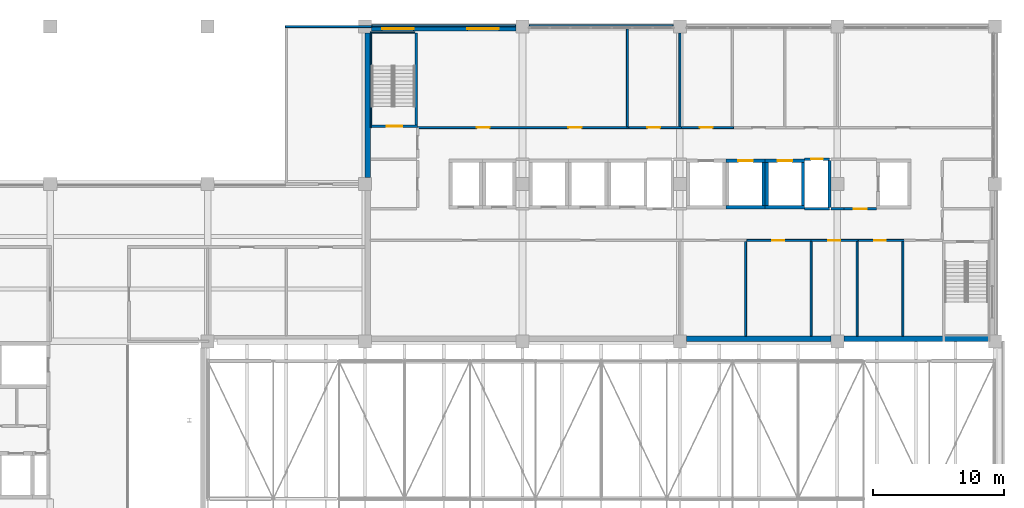
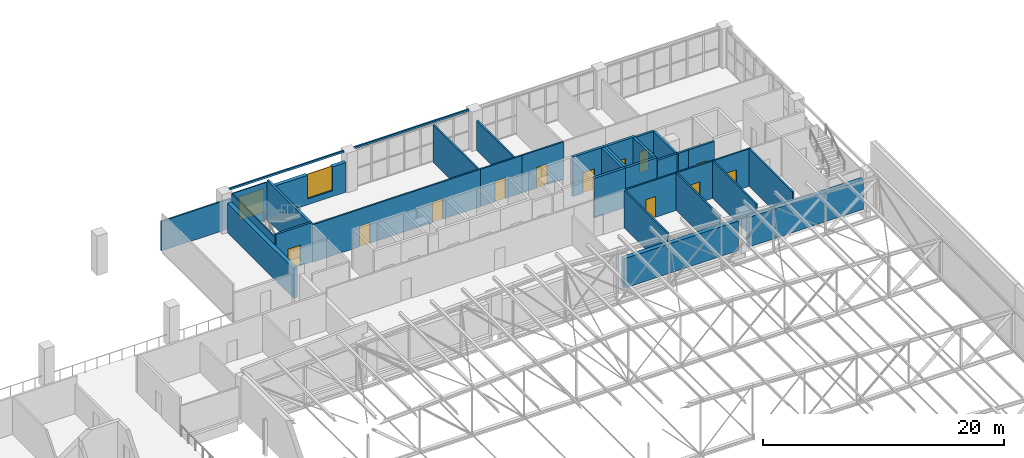
# One storey, part 149 of 156: 35 walls, 12 doors, 2 windows, 14 openings.
"""IFC4 building model written with IfcOpenShell, lengths in metres."""

import ifcopenshell
import ifcopenshell.guid

model = None  # the IFC model being written
_history = None  # IfcOwnerHistory: only IFC2X3 demands one
_inside = {}  # id of a spatial element -> (the spatial element, [elements in it])
_under = {}  # id of a project, library or spatial element -> (it, [spatial elements below it])
_declared = {}  # id of a project -> (the project, [libraries it declares])
_typed = {}  # id of a type object -> (the type object, [elements of that type])
_made_of = {}  # id of a material, layer set ... -> (it, [elements and type objects made of it])


def new_model(schema):
    """Start an empty IFC model of exactly this schema.

    Asked for "IFC4X3", IfcOpenShell would pick the latest addendum, in which some entities
    have other attributes; the version numbers below select the first issue.
    IFC2X3 requires an IfcOwnerHistory on every rooted entity: one is made here for all.
    """
    global model, _history
    if schema == "IFC4X3":
        model = ifcopenshell.file(schema_version=(4, 3, 0, 0))
    else:
        model = ifcopenshell.file(schema=schema)
    _inside.clear()
    _under.clear()
    _declared.clear()
    _typed.clear()
    _made_of.clear()
    _history = None
    if model.schema == "IFC2X3":
        org = make("IfcOrganization", Name="unknown")
        user = make(
            "IfcPersonAndOrganization",
            ThePerson=make("IfcPerson", FamilyName="unknown"),
            TheOrganization=org,
        )
        app = make(
            "IfcApplication",
            ApplicationDeveloper=org,
            Version="unknown",
            ApplicationFullName="unknown",
            ApplicationIdentifier="unknown",
        )
        _history = make(
            "IfcOwnerHistory",
            OwningUser=user,
            OwningApplication=app,
            ChangeAction="ADDED",
            CreationDate=0,
        )
    return model


def make(cls, **values):
    """One entity of the class cls with the attributes given. An attribute that is None is left unset."""
    return model.create_entity(
        cls, **{name: value for name, value in values.items() if value is not None}
    )


def rooted(cls, **values):
    """An entity with a GlobalId (a new one), such as an element, a storey or a relation."""
    return make(cls, GlobalId=ifcopenshell.guid.new(), OwnerHistory=_history, **values)


def si_unit(unit_type, name, prefix=None):
    """IfcSIUnit, for example si_unit("LENGTHUNIT", "METRE", prefix="MILLI")."""
    return make("IfcSIUnit", UnitType=unit_type, Prefix=prefix, Name=name)


def assignment(units):
    """IfcUnitAssignment: the units of a project."""
    return None if units is None else make("IfcUnitAssignment", Units=units)


def point(xyz):
    """IfcCartesianPoint."""
    return None if xyz is None else make("IfcCartesianPoint", Coordinates=xyz)


def direction(xyz):
    """IfcDirection."""
    return None if xyz is None else make("IfcDirection", DirectionRatios=xyz)


def frame(location, z_axis=None, x_axis=None):
    """IfcAxis2Placement3D, a coordinate frame: its origin and axes. An axis left out is left unset."""
    return make(
        "IfcAxis2Placement3D",
        Location=point(location),
        Axis=direction(z_axis),
        RefDirection=direction(x_axis),
    )


def frame_2d(location, x_axis=None):
    """IfcAxis2Placement2D, a coordinate frame in the plane: its origin and x axis."""
    return make(
        "IfcAxis2Placement2D", Location=point(location), RefDirection=direction(x_axis)
    )


def origin():
    """The frame at (0, 0, 0) with its axes left unset."""
    return frame((0.0, 0.0, 0.0))


def place(relative_to, where):
    """IfcLocalPlacement: puts the frame where relative to a parent placement (None: the world)."""
    return make(
        "IfcLocalPlacement", PlacementRelTo=relative_to, RelativePlacement=where
    )


def context(
    kind, dimensions, precision=None, world=None, true_north=None, identifier=None
):
    """IfcGeometricRepresentationContext, for example the 3D "Model" context."""
    return make(
        "IfcGeometricRepresentationContext",
        ContextIdentifier=identifier,
        ContextType=kind,
        CoordinateSpaceDimension=dimensions,
        Precision=precision,
        WorldCoordinateSystem=world,
        TrueNorth=true_north,
    )


def subcontext(parent, identifier, kind, view, scale=None):
    """IfcGeometricRepresentationSubContext, for example "Body" below "Model"."""
    return make(
        "IfcGeometricRepresentationSubContext",
        ContextIdentifier=identifier,
        ContextType=kind,
        ParentContext=parent,
        TargetScale=scale,
        TargetView=view,
    )


def project(units=None, contexts=None):
    """IfcProject with its units and contexts."""
    return rooted(
        "IfcProject",
        Name="project",
        RepresentationContexts=contexts,
        UnitsInContext=assignment(units),
    )


def spatial(cls, under=None, at=None, **own):
    """A site, building, storey or space (cls), placed at a placement, below another one or the project."""
    s = rooted(cls, ObjectPlacement=at, **own)
    if under is not None:
        _under.setdefault(under.id(), (under, []))[1].append(s)
    return s


def profile(cls, at=None, kind="AREA", **sizes):
    """A parametric profile (cls). Its sizes go by their IFC names, for example OverallWidth=200.0."""
    return make(cls, ProfileType=kind, Position=at, **sizes)


def rectangle(**sizes):
    """IfcRectangleProfileDef."""
    return profile("IfcRectangleProfileDef", **sizes)


def extrude(swept, where, along, depth):
    """IfcExtrudedAreaSolid: the profile swept, set in the frame where, extruded along a direction by depth."""
    return make(
        "IfcExtrudedAreaSolid",
        SweptArea=swept,
        Position=where,
        ExtrudedDirection=direction(along),
        Depth=depth,
    )


def shape(context_of_items, identifier, shape_type, items):
    """IfcShapeRepresentation: the items that make up one representation, for example the "Body"."""
    return make(
        "IfcShapeRepresentation",
        ContextOfItems=context_of_items,
        RepresentationIdentifier=identifier,
        RepresentationType=shape_type,
        Items=items,
    )


def material(Name=None, Category=None):
    """IfcMaterial."""
    return make("IfcMaterial", Name=Name, Category=Category)


def layer(
    of_material, thickness, ventilated=None, Name=None, Category=None, Priority=None
):
    """IfcMaterialLayer: one layer of a wall or slab, of a material (None: an air gap)."""
    return make(
        "IfcMaterialLayer",
        Material=of_material,
        LayerThickness=thickness,
        IsVentilated=ventilated,
        Name=Name,
        Category=Category,
        Priority=Priority,
    )


def layer_set(layers, Name=None):
    """IfcMaterialLayerSet."""
    return make("IfcMaterialLayerSet", MaterialLayers=layers, LayerSetName=Name)


def made_of(thing, what):
    """Note that an element or type object is made of a material, layer set ...; save() writes the relation."""
    if what is not None:
        _made_of.setdefault(what.id(), (what, []))[1].append(thing)
    return thing


def type_object(cls, material=None, **own):
    """A type object (cls), such as IfcWallType, which elements share."""
    return made_of(rooted(cls, **own), material)


def element(
    cls,
    number,
    at=None,
    inside=None,
    cuts=None,
    type_object=None,
    material=None,
    context=None,
    identifier="Body",
    shape_type=None,
    held_by="IfcProductDefinitionShape",
    body=None,
    shapes=None,
    **own,
):
    """One element of the class cls, such as IfcWall. Its Tag is "e" and its number.

    at: its placement. inside: the storey or other place that contains it. cuts: it is an
    opening in that element (IfcRelVoidsElement). A single representation is given by context,
    identifier, shape_type and body (its items); several are given by shapes. held_by: the class
    of the entity that holds the representations. save() writes the other relations.
    """
    e = rooted(cls, Tag="e%d" % number, ObjectPlacement=at, **own)
    if body is not None:
        shapes = [shape(context, identifier, shape_type, body)]
    if shapes is not None:
        e.Representation = make(held_by, Representations=shapes)
    if inside is not None:
        _inside.setdefault(inside.id(), (inside, []))[1].append(e)
    if cuts is not None:
        rooted(
            "IfcRelVoidsElement", RelatingBuildingElement=cuts, RelatedOpeningElement=e
        )
    if type_object is not None:
        _typed.setdefault(type_object.id(), (type_object, []))[1].append(e)
    return made_of(e, material)


def fill(opening, filler):
    """IfcRelFillsElement: the door or window that sits in an opening."""
    return rooted(
        "IfcRelFillsElement",
        RelatingOpeningElement=opening,
        RelatedBuildingElement=filler,
    )


def aggregate(whole, parts):
    """IfcRelAggregates: a whole, such as a stair, and the parts it consists of."""
    return rooted("IfcRelAggregates", RelatingObject=whole, RelatedObjects=parts)


def save(model, path):
    """Write the relations noted so far, then the file.

    IfcRelAggregates (storeys below a building ...), IfcRelContainedInSpatialStructure (elements
    in a storey), IfcRelDefinesByType, IfcRelAssociatesMaterial and IfcRelDeclares: one each for
    every whole, place, type object, material and project.
    """
    for whole, parts in _under.values():
        aggregate(whole, parts)
    for where, things in _inside.values():
        rooted(
            "IfcRelContainedInSpatialStructure",
            RelatedElements=things,
            RelatingStructure=where,
        )
    for kind, things in _typed.values():
        rooted("IfcRelDefinesByType", RelatedObjects=things, RelatingType=kind)
    for what, things in _made_of.values():
        rooted("IfcRelAssociatesMaterial", RelatedObjects=things, RelatingMaterial=what)
    for by, libraries in _declared.values():
        rooted("IfcRelDeclares", RelatingContext=by, RelatedDefinitions=libraries)
    model.write(path)


model = new_model("IFC4")

# Units and contexts
model_context = context("Model", 3, precision=1e-05, world=origin(), true_north=direction((0.0, 1.0)))
body_context = subcontext(model_context, "Body", "Model", "MODEL_VIEW")
ifc_project = project(units=[si_unit("LENGTHUNIT", "METRE"), si_unit("AREAUNIT", "SQUARE_METRE"), si_unit("VOLUMEUNIT", "CUBIC_METRE"), si_unit("PLANEANGLEUNIT", "RADIAN"), si_unit("MASSUNIT", "GRAM", prefix="KILO")], contexts=[model_context])

# Site, building, storey
site_placement = place(None, origin())
site = spatial("IfcSite", under=ifc_project, at=site_placement, CompositionType="ELEMENT")
building_placement = place(site_placement, origin())
building = spatial("IfcBuilding", under=site, at=building_placement, Name="Lilac Gate Convention Centre", CompositionType="ELEMENT")
storey_placement = place(building_placement, frame((0.0, 0.0, 17.0)))
storey = spatial("IfcBuildingStorey", under=building, at=storey_placement, Name="L03", CompositionType="ELEMENT", Elevation=17.0)

# Walls
ifc_material_1 = material(Name="Concrete C60", Category="concrete")
ifc_layer_1 = layer(ifc_material_1, 0.10009765625)
ifc_layer_set_1 = layer_set([ifc_layer_1], Name="Concrete C60")
wall_type_1 = type_object("IfcWallType", Name="Core wall 100 C60", PredefinedType="SHEAR", material=ifc_layer_set_1)
wall_1_placement = place(storey_placement, frame((42.449951171875, 238.300048828125, 0.0), z_axis=(0.0, 0.0, 1.0), x_axis=(0.0, 1.0, 0.0)))
element("IfcWall", 1, at=wall_1_placement, inside=storey, type_object=wall_type_1, Name="CRW8 core wall TS-WX L03 1", PredefinedType="SHEAR", context=body_context, shape_type="SweptSolid", body=[
    extrude(rectangle(XDim=7.300048828125, YDim=0.10009765625, at=frame_2d((3.64990234375, 0.0))), origin(), (0.0, 0.0, 1.0), 3.800048828125),
])
wall_2_placement = place(storey_placement, frame((42.5, 245.550048828125, 0.0), z_axis=(0.0, 0.0, 1.0), x_axis=(1.0, 0.0, 0.0)))
element("IfcWall", 2, at=wall_2_placement, inside=storey, type_object=wall_type_1, Name="CRW8 core wall TS-WX L03 2", PredefinedType="SHEAR", context=body_context, shape_type="SweptSolid", body=[
    extrude(rectangle(XDim=3.300048828125, YDim=0.10009765625, at=frame_2d((1.64990234375, 0.0))), origin(), (0.0, 0.0, 1.0), 3.800048828125),
])

# Wall, opening, door
ifc_layer_2 = layer(ifc_material_1, 0.199951171875)
ifc_layer_set_2 = layer_set([ifc_layer_2], Name="Concrete C60")
wall_type_2 = type_object("IfcWallType", Name="Core wall 200 C60", PredefinedType="SHEAR", material=ifc_layer_set_2)
wall_3_placement = place(storey_placement, frame((42.5, 238.39990234375, 0.0), z_axis=(0.0, 0.0, 1.0), x_axis=(1.0, 0.0, 0.0)))
wall_3 = element("IfcWall", 3, at=wall_3_placement, inside=storey, type_object=wall_type_2, Name="CRW2 core wall TS-W L03 1", PredefinedType="SHEAR", context=body_context, shape_type="SweptSolid", body=[
    extrude(rectangle(XDim=3.5, YDim=0.199951171875, at=frame_2d((1.75, 0.0))), origin(), (0.0, 0.0, 1.0), 4.0),
])
opening_1_placement = place(wall_3_placement, frame((1.14990234375, 0.0, 0.0)))
opening_1 = element("IfcOpeningElement", 4, at=opening_1_placement, cuts=wall_3, Name="Opening T03-031", PredefinedType="OPENING", context=body_context, shape_type="SweptSolid", body=[
    extrude(rectangle(XDim=1.199951171875, YDim=2.10009765625, at=frame_2d((0.60009765625, 1.050048828125))), frame((0.0, 0.10986328125, 0.0), z_axis=(0.0, -1.0, 0.0), x_axis=(1.0, 0.0, 0.0)), (0.0, 0.0, 1.0), 0.219970703125),
])
ifc_material_2 = material(Name="Steel Q235B", Category="steel")
door_type_1 = type_object("IfcDoorType", Name="Stair door 1200", OperationType="SINGLE_SWING_LEFT", PredefinedType="DOOR", material=ifc_material_2)
door_1_placement = place(opening_1_placement, origin())
door_1 = element("IfcDoor", 5, at=door_1_placement, inside=storey, type_object=door_type_1, Name="Stair door NW L03", OperationType="SINGLE_SWING_RIGHT", OverallHeight=2.10009765625, OverallWidth=1.199951171875, PredefinedType="DOOR", context=body_context, shape_type="SweptSolid", body=[
    extrude(rectangle(XDim=1.199951171875, YDim=2.10009765625, at=frame_2d((0.60009765625, 1.050048828125))), frame((0.0, 0.02490234375, 0.0), z_axis=(0.0, -1.0, 0.0), x_axis=(1.0, 0.0, 0.0)), (0.0, 0.0, 1.0), 0.050048828125),
])
fill(opening_1, door_1)

# Walls
wall_4_placement = place(storey_placement, frame((45.89990234375, 238.5, 0.0), z_axis=(0.0, 0.0, 1.0), x_axis=(0.0, 1.0, 0.0)))
element("IfcWall", 6, at=wall_4_placement, inside=storey, type_object=wall_type_2, Name="CRW2 core wall TS-W L03 2", PredefinedType="SHEAR", context=body_context, shape_type="SweptSolid", body=[
    extrude(rectangle(XDim=7.0, YDim=0.199951171875, at=frame_2d((3.5, 0.0))), origin(), (0.0, 0.0, 1.0), 4.0),
])
ifc_layer_3 = layer(ifc_material_1, 0.25)
ifc_layer_set_3 = layer_set([ifc_layer_3], Name="Concrete C60")
wall_type_3 = type_object("IfcWallType", Name="Core wall 250 C60", PredefinedType="SHEAR", material=ifc_layer_set_3)
wall_5_placement = place(storey_placement, frame((69.5, 232.22509765625, 0.0), z_axis=(0.0, 0.0, 1.0), x_axis=(1.0, 0.0, 0.0)))
element("IfcWall", 7, at=wall_5_placement, inside=storey, type_object=wall_type_3, Name="CRW3 core wall TC L03 17", PredefinedType="SHEAR", context=body_context, shape_type="SweptSolid", body=[
    extrude(rectangle(XDim=3.0, YDim=0.25, at=frame_2d((1.5, 0.0))), origin(), (0.0, 0.0, 1.0), 4.0),
])

# Wall, opening, door
wall_6_placement = place(storey_placement, frame((69.5, 235.77490234375, 0.0), z_axis=(0.0, 0.0, 1.0), x_axis=(1.0, 0.0, 0.0)))
wall_6 = element("IfcWall", 8, at=wall_6_placement, inside=storey, type_object=wall_type_3, Name="CRW3 core wall TC L03 18", PredefinedType="SHEAR", context=body_context, shape_type="SweptSolid", body=[
    extrude(rectangle(XDim=3.0, YDim=0.25, at=frame_2d((1.5, 0.0))), origin(), (0.0, 0.0, 1.0), 4.0),
])
opening_2_placement = place(wall_6_placement, frame((0.949951171875, 0.0, 0.0)))
opening_2 = element("IfcOpeningElement", 9, at=opening_2_placement, cuts=wall_6, Name="Opening T03-026", PredefinedType="OPENING", context=body_context, shape_type="SweptSolid", body=[
    extrude(rectangle(XDim=1.10009765625, YDim=2.10009765625, at=frame_2d((0.550048828125, 1.050048828125))), frame((0.0, 0.135009765625, 0.0), z_axis=(0.0, -1.0, 0.0), x_axis=(1.0, 0.0, 0.0)), (0.0, 0.0, 1.0), 0.27001953125),
])
ifc_material_3 = material(Name="Stainless steel 304", Category="steel")
door_type_2 = type_object("IfcDoorType", Name="Lift landing door 1100", OperationType="SLIDING_TO_LEFT", PredefinedType="DOOR", material=ifc_material_3)
door_2_placement = place(opening_2_placement, origin())
door_2 = element("IfcDoor", 10, at=door_2_placement, inside=storey, type_object=door_type_2, Name="Lift landing door TP5 L03", OperationType="SLIDING_TO_LEFT", OverallHeight=2.10009765625, OverallWidth=1.10009765625, PredefinedType="DOOR", context=body_context, shape_type="SweptSolid", body=[
    extrude(rectangle(XDim=1.10009765625, YDim=2.10009765625, at=frame_2d((0.550048828125, 1.050048828125))), frame((0.0, 0.02490234375, 0.0), z_axis=(0.0, -1.0, 0.0), x_axis=(1.0, 0.0, 0.0)), (0.0, 0.0, 1.0), 0.050048828125),
])
fill(opening_2, door_2)

# Walls
wall_7_placement = place(storey_placement, frame((72.375, 232.35009765625, 0.0), z_axis=(0.0, 0.0, 1.0), x_axis=(0.0, 1.0, 0.0)))
element("IfcWall", 11, at=wall_7_placement, inside=storey, type_object=wall_type_3, Name="CRW3 core wall TC L03 20", PredefinedType="SHEAR", context=body_context, shape_type="SweptSolid", body=[
    extrude(rectangle(XDim=3.2998046875, YDim=0.25, at=frame_2d((1.64990234375, 0.0))), origin(), (0.0, 0.0, 1.0), 4.0),
])
wall_8_placement = place(storey_placement, frame((72.5, 232.22509765625, 0.0), z_axis=(0.0, 0.0, 1.0), x_axis=(1.0, 0.0, 0.0)))
element("IfcWall", 12, at=wall_8_placement, inside=storey, type_object=wall_type_3, Name="CRW3 core wall TC L03 21", PredefinedType="SHEAR", context=body_context, shape_type="SweptSolid", body=[
    extrude(rectangle(XDim=3.0, YDim=0.25, at=frame_2d((1.5, 0.0))), origin(), (0.0, 0.0, 1.0), 4.0),
])

# Wall, opening, door
wall_9_placement = place(storey_placement, frame((72.5, 235.77490234375, 0.0), z_axis=(0.0, 0.0, 1.0), x_axis=(1.0, 0.0, 0.0)))
wall_9 = element("IfcWall", 13, at=wall_9_placement, inside=storey, type_object=wall_type_3, Name="CRW3 core wall TC L03 22", PredefinedType="SHEAR", context=body_context, shape_type="SweptSolid", body=[
    extrude(rectangle(XDim=3.0, YDim=0.25, at=frame_2d((1.5, 0.0))), origin(), (0.0, 0.0, 1.0), 4.0),
])
opening_3_placement = place(wall_9_placement, frame((0.949951171875, 0.0, 0.0)))
opening_3 = element("IfcOpeningElement", 14, at=opening_3_placement, cuts=wall_9, Name="Opening T03-027", PredefinedType="OPENING", context=body_context, shape_type="SweptSolid", body=[
    extrude(rectangle(XDim=1.10009765625, YDim=2.10009765625, at=frame_2d((0.550048828125, 1.050048828125))), frame((0.0, 0.135009765625, 0.0), z_axis=(0.0, -1.0, 0.0), x_axis=(1.0, 0.0, 0.0)), (0.0, 0.0, 1.0), 0.27001953125),
])
door_3_placement = place(opening_3_placement, origin())
door_3 = element("IfcDoor", 15, at=door_3_placement, inside=storey, type_object=door_type_2, Name="Lift landing door TP6 L03", OperationType="SLIDING_TO_LEFT", OverallHeight=2.10009765625, OverallWidth=1.10009765625, PredefinedType="DOOR", context=body_context, shape_type="SweptSolid", body=[
    extrude(rectangle(XDim=1.10009765625, YDim=2.10009765625, at=frame_2d((0.550048828125, 1.050048828125))), frame((0.0, 0.02490234375, 0.0), z_axis=(0.0, -1.0, 0.0), x_axis=(1.0, 0.0, 0.0)), (0.0, 0.0, 1.0), 0.050048828125),
])
fill(opening_3, door_3)

# Walls
for number, where, z_axis, x_axis, name in (
    (16, (72.625, 232.35009765625, 0.0), (0.0, 0.0, 1.0), (0.0, 1.0, 0.0), "CRW3 core wall TC L03 23"),
    (17, (75.375, 232.35009765625, 0.0), (0.0, 0.0, 1.0), (0.0, 1.0, 0.0), "CRW3 core wall TC L03 24"),
):
    element("IfcWall", number, at=place(storey_placement, frame(where, z_axis=z_axis, x_axis=x_axis)), inside=storey, type_object=wall_type_3, Name=name, PredefinedType="SHEAR", context=body_context, shape_type="SweptSolid", body=[
        extrude(rectangle(XDim=3.2998046875, YDim=0.25, at=frame_2d((1.64990234375, 0.0))), origin(), (0.0, 0.0, 1.0), 4.0),
    ])

# Wall, opening, door
ifc_material_4 = material(Name="Gypsum board on steel stud", Category="steel")
ifc_layer_4 = layer(ifc_material_4, 0.14990234375)
ifc_layer_set_4 = layer_set([ifc_layer_4], Name="Gypsum board on steel stud")
wall_type_4 = type_object("IfcWallType", Name="Corridor wall 150", PredefinedType="PARTITIONING", material=ifc_layer_set_4)
wall_10_placement = place(storey_placement, frame((76.0, 229.699951171875, 0.0), z_axis=(0.0, 0.0, 1.0), x_axis=(-1.0, 0.0, 0.0)))
wall_10 = element("IfcWall", 18, at=wall_10_placement, inside=storey, type_object=wall_type_4, Name="Corridor wall 150 front CHW", PredefinedType="PARTITIONING", context=body_context, shape_type="SweptSolid", body=[
    extrude(rectangle(XDim=4.89990234375, YDim=0.14990234375, at=frame_2d((2.449951171875, 0.0))), origin(), (0.0, 0.0, 1.0), 3.800048828125),
])
opening_4_placement = place(wall_10_placement, frame((2.050048828125, 0.0, 0.0)))
opening_4 = element("IfcOpeningElement", 19, at=opening_4_placement, cuts=wall_10, Name="Opening T03-011", PredefinedType="OPENING", context=body_context, shape_type="SweptSolid", body=[
    extrude(rectangle(XDim=0.89990234375, YDim=2.10009765625, at=frame_2d((0.449951171875, 1.050048828125))), frame((0.0, 0.0849609375, 0.0), z_axis=(0.0, -1.0, 0.0), x_axis=(1.0, 0.0, 0.0)), (0.0, 0.0, 1.0), 0.169921875),
])
ifc_material_5 = material(Name="Timber", Category="wood")
door_type_3 = type_object("IfcDoorType", Name="WC door 900", OperationType="SINGLE_SWING_LEFT", PredefinedType="DOOR", material=ifc_material_5)
door_4_placement = place(opening_4_placement, origin())
door_4 = element("IfcDoor", 20, at=door_4_placement, inside=storey, type_object=door_type_3, Name="Changing Room door", OperationType="SINGLE_SWING_LEFT", OverallHeight=2.10009765625, OverallWidth=0.89990234375, PredefinedType="DOOR", context=body_context, shape_type="SweptSolid", body=[
    extrude(rectangle(XDim=0.89990234375, YDim=2.10009765625, at=frame_2d((0.449951171875, 1.050048828125))), frame((0.0, 0.02490234375, 0.0), z_axis=(0.0, -1.0, 0.0), x_axis=(1.0, 0.0, 0.0)), (0.0, 0.0, 1.0), 0.050048828125),
])
fill(opening_4, door_4)

wall_11_placement = place(storey_placement, frame((79.60009765625, 229.699951171875, 0.0), z_axis=(0.0, 0.0, 1.0), x_axis=(-1.0, 0.0, 0.0)))
wall_11 = element("IfcWall", 21, at=wall_11_placement, inside=storey, type_object=wall_type_4, Name="Corridor wall 150 front WC-W", PredefinedType="PARTITIONING", context=body_context, shape_type="SweptSolid", body=[
    extrude(rectangle(XDim=3.60009765625, YDim=0.14990234375, at=frame_2d((1.800048828125, 0.0))), origin(), (0.0, 0.0, 1.0), 3.800048828125),
])
opening_5_placement = place(wall_11_placement, frame((1.39990234375, 0.0, 0.0)))
opening_5 = element("IfcOpeningElement", 22, at=opening_5_placement, cuts=wall_11, Name="Opening T03-012", PredefinedType="OPENING", context=body_context, shape_type="SweptSolid", body=[
    extrude(rectangle(XDim=0.89990234375, YDim=2.10009765625, at=frame_2d((0.449951171875, 1.050048828125))), frame((0.0, 0.0849609375, 0.0), z_axis=(0.0, -1.0, 0.0), x_axis=(1.0, 0.0, 0.0)), (0.0, 0.0, 1.0), 0.169921875),
])
door_5_placement = place(opening_5_placement, origin())
door_5 = element("IfcDoor", 23, at=door_5_placement, inside=storey, type_object=door_type_3, Name="Women's WC door", OperationType="SINGLE_SWING_LEFT", OverallHeight=2.10009765625, OverallWidth=0.89990234375, PredefinedType="DOOR", context=body_context, shape_type="SweptSolid", body=[
    extrude(rectangle(XDim=0.89990234375, YDim=2.10009765625, at=frame_2d((0.449951171875, 1.050048828125))), frame((0.0, 0.02490234375, 0.0), z_axis=(0.0, -1.0, 0.0), x_axis=(1.0, 0.0, 0.0)), (0.0, 0.0, 1.0), 0.050048828125),
])
fill(opening_5, door_5)

wall_12_placement = place(storey_placement, frame((83.10009765625, 229.699951171875, 0.0), z_axis=(0.0, 0.0, 1.0), x_axis=(-1.0, 0.0, 0.0)))
wall_12 = element("IfcWall", 24, at=wall_12_placement, inside=storey, type_object=wall_type_4, Name="Corridor wall 150 front WC-M", PredefinedType="PARTITIONING", context=body_context, shape_type="SweptSolid", body=[
    extrude(rectangle(XDim=3.5, YDim=0.14990234375, at=frame_2d((1.75, 0.0))), origin(), (0.0, 0.0, 1.0), 3.800048828125),
])
opening_6_placement = place(wall_12_placement, frame((1.39990234375, 0.0, 0.0)))
opening_6 = element("IfcOpeningElement", 25, at=opening_6_placement, cuts=wall_12, Name="Opening T03-013", PredefinedType="OPENING", context=body_context, shape_type="SweptSolid", body=[
    extrude(rectangle(XDim=0.89990234375, YDim=2.10009765625, at=frame_2d((0.449951171875, 1.050048828125))), frame((0.0, 0.0849609375, 0.0), z_axis=(0.0, -1.0, 0.0), x_axis=(1.0, 0.0, 0.0)), (0.0, 0.0, 1.0), 0.169921875),
])
door_6_placement = place(opening_6_placement, origin())
door_6 = element("IfcDoor", 26, at=door_6_placement, inside=storey, type_object=door_type_3, Name="Men's WC door", OperationType="SINGLE_SWING_LEFT", OverallHeight=2.10009765625, OverallWidth=0.89990234375, PredefinedType="DOOR", context=body_context, shape_type="SweptSolid", body=[
    extrude(rectangle(XDim=0.89990234375, YDim=2.10009765625, at=frame_2d((0.449951171875, 1.050048828125))), frame((0.0, 0.02490234375, 0.0), z_axis=(0.0, -1.0, 0.0), x_axis=(1.0, 0.0, 0.0)), (0.0, 0.0, 1.0), 0.050048828125),
])
fill(opening_6, door_6)

# Wall, openings, doors
wall_13_placement = place(storey_placement, frame((46.0, 238.300048828125, 0.0), z_axis=(0.0, 0.0, 1.0), x_axis=(1.0, 0.0, 0.0)))
wall_13 = element("IfcWall", 27, at=wall_13_placement, inside=storey, type_object=wall_type_4, Name="Corridor wall 150 front SPL", PredefinedType="PARTITIONING", context=body_context, shape_type="SweptSolid", body=[
    extrude(rectangle(XDim=16.10009765625, YDim=0.14990234375, at=frame_2d((8.050048828125, 0.0))), origin(), (0.0, 0.0, 1.0), 3.800048828125),
])
opening_7_placement = place(wall_13_placement, frame((4.5, 0.0, 0.0)))
opening_7 = element("IfcOpeningElement", 28, at=opening_7_placement, cuts=wall_13, Name="Opening T03-015", PredefinedType="OPENING", context=body_context, shape_type="SweptSolid", body=[
    extrude(rectangle(XDim=1.0, YDim=2.10009765625, at=frame_2d((0.5, 1.050048828125))), frame((0.0, 0.0849609375, 0.0), z_axis=(0.0, -1.0, 0.0), x_axis=(1.0, 0.0, 0.0)), (0.0, 0.0, 1.0), 0.169921875),
])
opening_8_placement = place(wall_13_placement, frame((11.5, 0.0, 0.0)))
opening_8 = element("IfcOpeningElement", 29, at=opening_8_placement, cuts=wall_13, Name="Opening T03-016", PredefinedType="OPENING", context=body_context, shape_type="SweptSolid", body=[
    extrude(rectangle(XDim=1.0, YDim=2.10009765625, at=frame_2d((0.5, 1.050048828125))), frame((0.0, 0.0849609375, 0.0), z_axis=(0.0, -1.0, 0.0), x_axis=(1.0, 0.0, 0.0)), (0.0, 0.0, 1.0), 0.169921875),
])
door_type_4 = type_object("IfcDoorType", Name="Room door 1000", OperationType="SINGLE_SWING_LEFT", PredefinedType="DOOR", material=ifc_material_5)
door_7_placement = place(opening_7_placement, origin())
door_7 = element("IfcDoor", 30, at=door_7_placement, inside=storey, type_object=door_type_4, Name="Spa Lounge door", OperationType="SINGLE_SWING_LEFT", OverallHeight=2.10009765625, OverallWidth=1.0, PredefinedType="DOOR", context=body_context, shape_type="SweptSolid", body=[
    extrude(rectangle(XDim=1.0, YDim=2.10009765625, at=frame_2d((0.5, 1.050048828125))), frame((0.0, 0.02490234375, 0.0), z_axis=(0.0, -1.0, 0.0), x_axis=(1.0, 0.0, 0.0)), (0.0, 0.0, 1.0), 0.050048828125),
])
fill(opening_7, door_7)
door_8_placement = place(opening_8_placement, origin())
door_8 = element("IfcDoor", 31, at=door_8_placement, inside=storey, type_object=door_type_4, Name="Spa Lounge door", OperationType="SINGLE_SWING_RIGHT", OverallHeight=2.10009765625, OverallWidth=1.0, PredefinedType="DOOR", context=body_context, shape_type="SweptSolid", body=[
    extrude(rectangle(XDim=1.0, YDim=2.10009765625, at=frame_2d((0.5, 1.050048828125))), frame((0.0, 0.02490234375, 0.0), z_axis=(0.0, -1.0, 0.0), x_axis=(1.0, 0.0, 0.0)), (0.0, 0.0, 1.0), 0.050048828125),
])
fill(opening_8, door_8)

# Wall, opening, door
wall_14_placement = place(storey_placement, frame((62.10009765625, 238.300048828125, 0.0), z_axis=(0.0, 0.0, 1.0), x_axis=(1.0, 0.0, 0.0)))
wall_14 = element("IfcWall", 32, at=wall_14_placement, inside=storey, type_object=wall_type_4, Name="Corridor wall 150 front T01", PredefinedType="PARTITIONING", context=body_context, shape_type="SweptSolid", body=[
    extrude(rectangle(XDim=4.0, YDim=0.14990234375, at=frame_2d((2.0, 0.0))), origin(), (0.0, 0.0, 1.0), 3.800048828125),
])
opening_9_placement = place(wall_14_placement, frame((1.39990234375, 0.0, 0.0)))
opening_9 = element("IfcOpeningElement", 33, at=opening_9_placement, cuts=wall_14, Name="Opening T03-017", PredefinedType="OPENING", context=body_context, shape_type="SweptSolid", body=[
    extrude(rectangle(XDim=1.0, YDim=2.10009765625, at=frame_2d((0.5, 1.050048828125))), frame((0.0, 0.0849609375, 0.0), z_axis=(0.0, -1.0, 0.0), x_axis=(1.0, 0.0, 0.0)), (0.0, 0.0, 1.0), 0.169921875),
])
door_9_placement = place(opening_9_placement, origin())
door_9 = element("IfcDoor", 34, at=door_9_placement, inside=storey, type_object=door_type_4, Name="Treatment Room door", OperationType="SINGLE_SWING_LEFT", OverallHeight=2.10009765625, OverallWidth=1.0, PredefinedType="DOOR", context=body_context, shape_type="SweptSolid", body=[
    extrude(rectangle(XDim=1.0, YDim=2.10009765625, at=frame_2d((0.5, 1.050048828125))), frame((0.0, 0.02490234375, 0.0), z_axis=(0.0, -1.0, 0.0), x_axis=(1.0, 0.0, 0.0)), (0.0, 0.0, 1.0), 0.050048828125),
])
fill(opening_9, door_9)

wall_15_placement = place(storey_placement, frame((66.10009765625, 238.300048828125, 0.0), z_axis=(0.0, 0.0, 1.0), x_axis=(1.0, 0.0, 0.0)))
wall_15 = element("IfcWall", 35, at=wall_15_placement, inside=storey, type_object=wall_type_4, Name="Corridor wall 150 front T02", PredefinedType="PARTITIONING", context=body_context, shape_type="SweptSolid", body=[
    extrude(rectangle(XDim=4.0, YDim=0.14990234375, at=frame_2d((2.0, 0.0))), origin(), (0.0, 0.0, 1.0), 3.800048828125),
])
opening_10_placement = place(wall_15_placement, frame((1.39990234375, 0.0, 0.0)))
opening_10 = element("IfcOpeningElement", 36, at=opening_10_placement, cuts=wall_15, Name="Opening T03-018", PredefinedType="OPENING", context=body_context, shape_type="SweptSolid", body=[
    extrude(rectangle(XDim=1.0, YDim=2.10009765625, at=frame_2d((0.5, 1.050048828125))), frame((0.0, 0.0849609375, 0.0), z_axis=(0.0, -1.0, 0.0), x_axis=(1.0, 0.0, 0.0)), (0.0, 0.0, 1.0), 0.169921875),
])
door_10_placement = place(opening_10_placement, origin())
door_10 = element("IfcDoor", 37, at=door_10_placement, inside=storey, type_object=door_type_4, Name="Treatment Room door", OperationType="SINGLE_SWING_LEFT", OverallHeight=2.10009765625, OverallWidth=1.0, PredefinedType="DOOR", context=body_context, shape_type="SweptSolid", body=[
    extrude(rectangle(XDim=1.0, YDim=2.10009765625, at=frame_2d((0.5, 1.050048828125))), frame((0.0, 0.02490234375, 0.0), z_axis=(0.0, -1.0, 0.0), x_axis=(1.0, 0.0, 0.0)), (0.0, 0.0, 1.0), 0.050048828125),
])
fill(opening_10, door_10)

# Walls
ifc_material_6 = material(Name="Concrete C30", Category="concrete")
ifc_layer_5 = layer(ifc_material_6, 0.39990234375)
ifc_layer_set_5 = layer_set([ifc_layer_5], Name="Concrete C30")
wall_type_5 = type_object("IfcWallType", Name="Hall fire wall 400", PredefinedType="SOLIDWALL", material=ifc_layer_set_5)
for number, where, z_axis, x_axis, name in (
    (38, (66.5, 222.199951171875, 0.0), (0.0, 0.0, 1.0), (1.0, 0.0, 0.0), "Compartment wall S L03 3"),
    (39, (78.5, 222.199951171875, 0.0), (0.0, 0.0, 1.0), (1.0, 0.0, 0.0), "Compartment wall S L03 4"),
    (40, (42.199951171875, 245.5, 0.0), (0.0, 0.0, 1.0), (0.0, -1.0, 0.0), "Compartment wall W L03 1"),
):
    element("IfcWall", number, at=place(storey_placement, frame(where, z_axis=z_axis, x_axis=x_axis)), inside=storey, type_object=wall_type_5, Name=name, PredefinedType="SOLIDWALL", context=body_context, shape_type="SweptSolid", body=[
        extrude(rectangle(XDim=11.0, YDim=0.39990234375, at=frame_2d((5.5, 0.0))), origin(), (0.0, 0.0, 1.0), 3.0),
    ])

# Wall, opening, door
ifc_layer_6 = layer(ifc_material_4, 0.199951171875)
ifc_layer_set_6 = layer_set([ifc_layer_6], Name="Gypsum board on steel stud")
wall_type_6 = type_object("IfcWallType", Name="Lobby wall 200", PredefinedType="PARTITIONING", material=ifc_layer_set_6)
wall_16_placement = place(storey_placement, frame((78.5, 232.10009765625, 0.0), z_axis=(0.0, 0.0, 1.0), x_axis=(1.0, 0.0, 0.0)))
wall_16 = element("IfcWall", 41, at=wall_16_placement, inside=storey, type_object=wall_type_6, Name="Lobby wall 200 FFL-S", PredefinedType="PARTITIONING", context=body_context, shape_type="SweptSolid", body=[
    extrude(rectangle(XDim=2.5, YDim=0.199951171875, at=frame_2d((1.25, 0.0))), origin(), (0.0, 0.0, 1.0), 3.800048828125),
])
opening_11_placement = place(wall_16_placement, frame((0.75, 0.0, 0.0)))
opening_11 = element("IfcOpeningElement", 42, at=opening_11_placement, cuts=wall_16, Name="Opening T03-004", PredefinedType="OPENING", context=body_context, shape_type="SweptSolid", body=[
    extrude(rectangle(XDim=1.0, YDim=2.10009765625, at=frame_2d((0.5, 1.050048828125))), frame((0.0, 0.10986328125, 0.0), z_axis=(0.0, -1.0, 0.0), x_axis=(1.0, 0.0, 0.0)), (0.0, 0.0, 1.0), 0.219970703125),
])
door_type_5 = type_object("IfcDoorType", Name="Lobby door 1000", OperationType="SINGLE_SWING_LEFT", PredefinedType="DOOR", material=ifc_material_2)
door_11_placement = place(opening_11_placement, origin())
door_11 = element("IfcDoor", 43, at=door_11_placement, inside=storey, type_object=door_type_5, Name="Firefighting lobby door", OperationType="SINGLE_SWING_RIGHT", OverallHeight=2.10009765625, OverallWidth=1.0, PredefinedType="DOOR", context=body_context, shape_type="SweptSolid", body=[
    extrude(rectangle(XDim=1.0, YDim=2.10009765625, at=frame_2d((0.5, 1.050048828125))), frame((0.0, 0.02490234375, 0.0), z_axis=(0.0, -1.0, 0.0), x_axis=(1.0, 0.0, 0.0)), (0.0, 0.0, 1.0), 0.050048828125),
])
fill(opening_11, door_11)

# Wall
ifc_material_7 = material(Name="Fire-rated gypsum board on steel stud", Category="steel")
ifc_layer_7 = layer(ifc_material_7, 0.14990234375)
ifc_layer_set_7 = layer_set([ifc_layer_7], Name="Fire-rated gypsum board on steel stud")
wall_type_7 = type_object("IfcWallType", Name="Partition 150 fire-rated gypsum board EI 60", PredefinedType="PARTITIONING", material=ifc_layer_set_7)
wall_17_placement = place(storey_placement, frame((35.925048828125, 246.0, 0.0), z_axis=(0.0, 0.0, 1.0), x_axis=(1.0, 0.0, 0.0)))
element("IfcWall", 44, at=wall_17_placement, inside=storey, type_object=wall_type_7, Name="Partition 150 fire-rated gypsum board EI 60", PredefinedType="PARTITIONING", context=body_context, shape_type="SweptSolid", body=[
    extrude(rectangle(XDim=6.574951171875, YDim=0.14990234375, at=frame_2d((3.28759765625, 0.0))), origin(), (0.0, 0.0, 1.0), 3.0),
])

# Wall, openings, windows
ifc_material_8 = material(Name="Ochre mineral render")
ifc_layer_8 = layer(ifc_material_8, 0.02001953125)
ifc_material_9 = material(Name="Concrete C40 precast", Category="concrete")
ifc_layer_9 = layer(ifc_material_9, 0.06005859375)
ifc_material_10 = material(Name="Ventilated air cavity")
ifc_layer_10 = layer(ifc_material_10, 0.030029296875)
ifc_material_11 = material(Name="Mineral wool insulation")
ifc_layer_11 = layer(ifc_material_11, 0.169921875)
ifc_material_12 = material(Name="Steel stud Q345 and gypsum lining", Category="steel")
ifc_layer_12 = layer(ifc_material_12, 0.070068359375)
ifc_layer_set_8 = layer_set([ifc_layer_8, ifc_layer_9, ifc_layer_10, ifc_layer_11, ifc_layer_12], Name="Ochre mineral render, Concrete C40 precast, Ventilated air cavity, Mineral wool insulation, Steel stud Q345 and gypsum lining")
wall_type_8 = type_object("IfcWallType", Name="Podium precast wall 350", PredefinedType="STANDARD", material=ifc_layer_set_8)
wall_18_placement = place(storey_placement, frame((53.5, 245.824951171875, 0.0), z_axis=(0.0, 0.0, 1.0), x_axis=(-1.0, 0.0, 0.0)))
wall_18 = element("IfcWall", 45, at=wall_18_placement, inside=storey, type_object=wall_type_8, Name="External wall N L03 4", PredefinedType="STANDARD", context=body_context, shape_type="SweptSolid", body=[
    extrude(rectangle(XDim=11.0, YDim=0.35009765625, at=frame_2d((5.5, 0.0))), origin(), (0.0, 0.0, 1.0), 3.0),
])
opening_12_placement = place(wall_18_placement, frame((1.300048828125, 0.0, 0.60009765625)))
opening_12 = element("IfcOpeningElement", 46, at=opening_12_placement, cuts=wall_18, Name="Opening W4", PredefinedType="OPENING", context=body_context, shape_type="SweptSolid", body=[
    extrude(rectangle(XDim=2.39990234375, YDim=2.39990234375, at=frame_2d((1.199951171875, 1.199951171875))), frame((0.0, 0.18505859375, 0.0), z_axis=(0.0, -1.0, 0.0), x_axis=(1.0, 0.0, 0.0)), (0.0, 0.0, 1.0), 0.3701171875),
])
opening_13_placement = place(wall_18_placement, frame((7.800048828125, 0.0, 0.60009765625)))
opening_13 = element("IfcOpeningElement", 47, at=opening_13_placement, cuts=wall_18, Name="Opening W4", PredefinedType="OPENING", context=body_context, shape_type="SweptSolid", body=[
    extrude(rectangle(XDim=2.39990234375, YDim=2.39990234375, at=frame_2d((1.199951171875, 1.199951171875))), frame((0.0, 0.18505859375, 0.0), z_axis=(0.0, -1.0, 0.0), x_axis=(1.0, 0.0, 0.0)), (0.0, 0.0, 1.0), 0.3701171875),
])
ifc_material_13 = material(Name="Aluminium framed double glazing", Category="aluminium")
window_type = type_object("IfcWindowType", Name="Restaurant window 2400 x 2400", PartitioningType="TRIPLE_PANEL_VERTICAL", PredefinedType="WINDOW", material=ifc_material_13)
window_1_placement = place(opening_12_placement, origin())
window_1 = element("IfcWindow", 48, at=window_1_placement, inside=storey, type_object=window_type, Name="Window restaurant N L03", OverallHeight=2.39990234375, OverallWidth=2.39990234375, PartitioningType="SINGLE_PANEL", PredefinedType="WINDOW", context=body_context, shape_type="SweptSolid", body=[
    extrude(rectangle(XDim=2.39990234375, YDim=2.39990234375, at=frame_2d((1.199951171875, 1.199951171875))), frame((0.0, 0.030029296875, 0.0), z_axis=(0.0, -1.0, 0.0), x_axis=(1.0, 0.0, 0.0)), (0.0, 0.0, 1.0), 0.06005859375),
])
fill(opening_12, window_1)
window_2_placement = place(opening_13_placement, origin())
window_2 = element("IfcWindow", 49, at=window_2_placement, inside=storey, type_object=window_type, Name="Window restaurant N L03", OverallHeight=2.39990234375, OverallWidth=2.39990234375, PartitioningType="SINGLE_PANEL", PredefinedType="WINDOW", context=body_context, shape_type="SweptSolid", body=[
    extrude(rectangle(XDim=2.39990234375, YDim=2.39990234375, at=frame_2d((1.199951171875, 1.199951171875))), frame((0.0, 0.030029296875, 0.0), z_axis=(0.0, -1.0, 0.0), x_axis=(1.0, 0.0, 0.0)), (0.0, 0.0, 1.0), 0.06005859375),
])
fill(opening_13, window_2)

# Walls
ifc_layer_13 = layer(ifc_material_9, 0.1298828125)
ifc_layer_14 = layer(ifc_material_8, 0.02001953125)
ifc_layer_set_9 = layer_set([ifc_layer_13, ifc_layer_14], Name="Concrete C40 precast, Ochre mineral render")
wall_type_9 = type_object("IfcWallType", Name="Precast band ochre 150", PredefinedType="STANDARD", material=ifc_layer_set_9)
for number, where, z_axis, x_axis, name in (
    (50, (65.5, 246.074951171875, 3.800048828125), (0.0, 0.0, 1.0), (-1.0, 0.0, 0.0), "Precast band N L03 3"),
    (51, (53.5, 246.074951171875, 3.800048828125), (0.0, 0.0, 1.0), (-1.0, 0.0, 0.0), "Precast band N L03 4"),
):
    element("IfcWall", number, at=place(storey_placement, frame(where, z_axis=z_axis, x_axis=x_axis)), inside=storey, type_object=wall_type_9, Name=name, PredefinedType="STANDARD", context=body_context, shape_type="SweptSolid", body=[
        extrude(rectangle(XDim=11.0, YDim=0.14990234375, at=frame_2d((5.5, 0.0))), origin(), (0.0, 0.0, 1.0), 0.199951171875),
    ])
ifc_layer_15 = layer(ifc_material_4, 0.199951171875)
ifc_layer_set_10 = layer_set([ifc_layer_15], Name="Gypsum board on steel stud")
wall_type_10 = type_object("IfcWallType", Name="Riser and store wall 200", PredefinedType="PARTITIONING", material=ifc_layer_set_10)
wall_19_placement = place(storey_placement, frame((75.5, 232.10009765625, 0.0), z_axis=(0.0, 0.0, 1.0), x_axis=(1.0, 0.0, 0.0)))
element("IfcWall", 52, at=wall_19_placement, inside=storey, type_object=wall_type_10, Name="Riser and store wall 200 RS2-S", PredefinedType="PARTITIONING", context=body_context, shape_type="SweptSolid", body=[
    extrude(rectangle(XDim=1.89990234375, YDim=0.199951171875, at=frame_2d((0.949951171875, 0.0))), origin(), (0.0, 0.0, 1.0), 3.800048828125),
])
wall_20_placement = place(storey_placement, frame((77.5, 232.10009765625, 0.0), z_axis=(0.0, 0.0, 1.0), x_axis=(1.0, 0.0, 0.0)))
element("IfcWall", 53, at=wall_20_placement, inside=storey, type_object=wall_type_10, Name="Riser and store wall 200 NICHE3-S", PredefinedType="PARTITIONING", context=body_context, shape_type="SweptSolid", body=[
    extrude(rectangle(XDim=1.0, YDim=0.199951171875, at=frame_2d((0.5, 0.0))), origin(), (0.0, 0.0, 1.0), 3.800048828125),
])

# Wall, opening, door
wall_21_placement = place(storey_placement, frame((77.39990234375, 235.89990234375, 0.0), z_axis=(0.0, 0.0, 1.0), x_axis=(-1.0, 0.0, 0.0)))
wall_21 = element("IfcWall", 54, at=wall_21_placement, inside=storey, type_object=wall_type_10, Name="Riser and store wall 200 RS2-N", PredefinedType="PARTITIONING", context=body_context, shape_type="SweptSolid", body=[
    extrude(rectangle(XDim=1.89990234375, YDim=0.199951171875, at=frame_2d((0.949951171875, 0.0))), origin(), (0.0, 0.0, 1.0), 3.800048828125),
])
opening_14_placement = place(wall_21_placement, frame((0.5, 0.0, 0.0)))
opening_14 = element("IfcOpeningElement", 55, at=opening_14_placement, cuts=wall_21, Name="Opening T03-003", PredefinedType="OPENING", context=body_context, shape_type="SweptSolid", body=[
    extrude(rectangle(XDim=0.89990234375, YDim=2.10009765625, at=frame_2d((0.449951171875, 1.050048828125))), frame((0.0, 0.10986328125, 0.0), z_axis=(0.0, -1.0, 0.0), x_axis=(1.0, 0.0, 0.0)), (0.0, 0.0, 1.0), 0.219970703125),
])
door_type_6 = type_object("IfcDoorType", Name="Riser and store door 900", OperationType="SINGLE_SWING_LEFT", PredefinedType="DOOR", material=ifc_material_2)
door_12_placement = place(opening_14_placement, origin())
door_12 = element("IfcDoor", 56, at=door_12_placement, inside=storey, type_object=door_type_6, Name="Riser room door", OperationType="SINGLE_SWING_LEFT", OverallHeight=2.10009765625, OverallWidth=0.89990234375, PredefinedType="DOOR", context=body_context, shape_type="SweptSolid", body=[
    extrude(rectangle(XDim=0.89990234375, YDim=2.10009765625, at=frame_2d((0.449951171875, 1.050048828125))), frame((0.0, 0.02490234375, 0.0), z_axis=(0.0, -1.0, 0.0), x_axis=(1.0, 0.0, 0.0)), (0.0, 0.0, 1.0), 0.050048828125),
])
fill(opening_14, door_12)

# Walls
wall_22_placement = place(storey_placement, frame((77.39990234375, 232.199951171875, 0.0), z_axis=(0.0, 0.0, 1.0), x_axis=(0.0, 1.0, 0.0)))
element("IfcWall", 57, at=wall_22_placement, inside=storey, type_object=wall_type_10, Name="Riser and store wall 200 RS2-E", PredefinedType="PARTITIONING", context=body_context, shape_type="SweptSolid", body=[
    extrude(rectangle(XDim=3.60009765625, YDim=0.199951171875, at=frame_2d((1.800048828125, 0.0))), origin(), (0.0, 0.0, 1.0), 3.800048828125),
])
ifc_layer_16 = layer(ifc_material_4, 0.14990234375)
ifc_layer_set_11 = layer_set([ifc_layer_16], Name="Gypsum board on steel stud")
wall_type_11 = type_object("IfcWallType", Name="Room partition 150", PredefinedType="PARTITIONING", material=ifc_layer_set_11)
for number, where, z_axis, x_axis, name in (
    (58, (71.0, 222.39990234375, 0.0), (0.0, 0.0, 1.0), (0.0, 1.0, 0.0), "Room partition 150 part CHW"),
    (59, (76.0, 222.39990234375, 0.0), (0.0, 0.0, 1.0), (0.0, 1.0, 0.0), "Room partition 150 part WC-W"),
    (60, (79.5, 222.39990234375, 0.0), (0.0, 0.0, 1.0), (0.0, 1.0, 0.0), "Room partition 150 part WC-M"),
    (61, (83.0, 222.39990234375, 0.0), (0.0, 0.0, 1.0), (0.0, 1.0, 0.0), "Room partition 150 part WC-A"),
):
    element("IfcWall", number, at=place(storey_placement, frame(where, z_axis=z_axis, x_axis=x_axis)), inside=storey, type_object=wall_type_11, Name=name, PredefinedType="PARTITIONING", context=body_context, shape_type="SweptSolid", body=[
        extrude(rectangle(XDim=7.22509765625, YDim=0.14990234375, at=frame_2d((3.612548828125, 0.0))), origin(), (0.0, 0.0, 1.0), 3.800048828125),
    ])
wall_23_placement = place(storey_placement, frame((62.0, 245.7998046875, 0.0), z_axis=(0.0, 0.0, 1.0), x_axis=(0.0, -1.0, 0.0)))
element("IfcWall", 62, at=wall_23_placement, inside=storey, type_object=wall_type_11, Name="Room partition 150 part T01", PredefinedType="PARTITIONING", context=body_context, shape_type="SweptSolid", body=[
    extrude(rectangle(XDim=7.4248046875, YDim=0.14990234375, at=frame_2d((3.71240234375, 0.0))), origin(), (0.0, 0.0, 1.0), 3.800048828125),
])
wall_24_placement = place(storey_placement, frame((66.0, 245.5, 0.0), z_axis=(0.0, 0.0, 1.0), x_axis=(0.0, -1.0, 0.0)))
element("IfcWall", 63, at=wall_24_placement, inside=storey, type_object=wall_type_11, Name="Room partition 150 part T02", PredefinedType="PARTITIONING", context=body_context, shape_type="SweptSolid", body=[
    extrude(rectangle(XDim=7.125, YDim=0.14990234375, at=frame_2d((3.5625, 0.0))), origin(), (0.0, 0.0, 1.0), 3.0),
])

save(model, "model.ifc")
